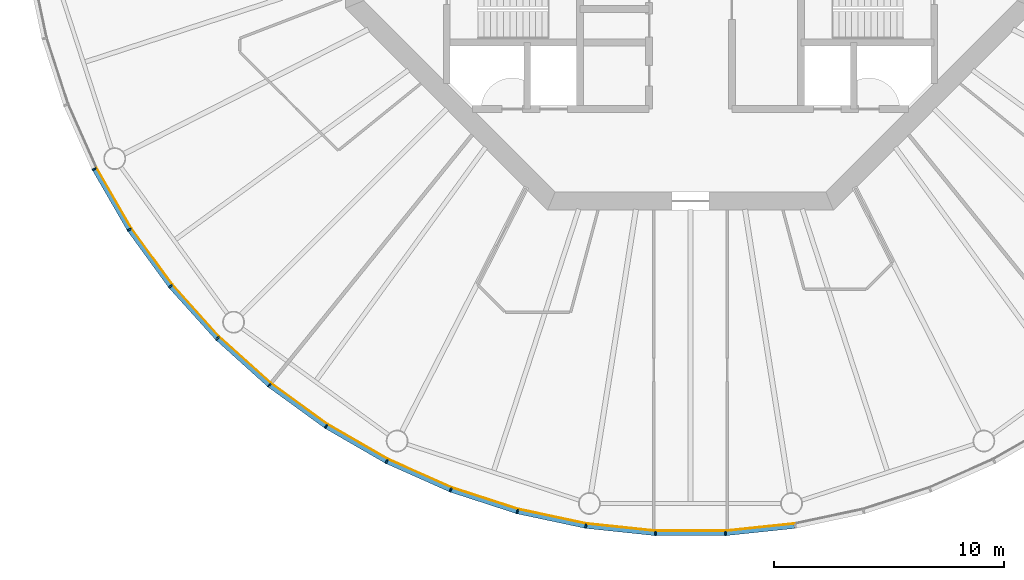
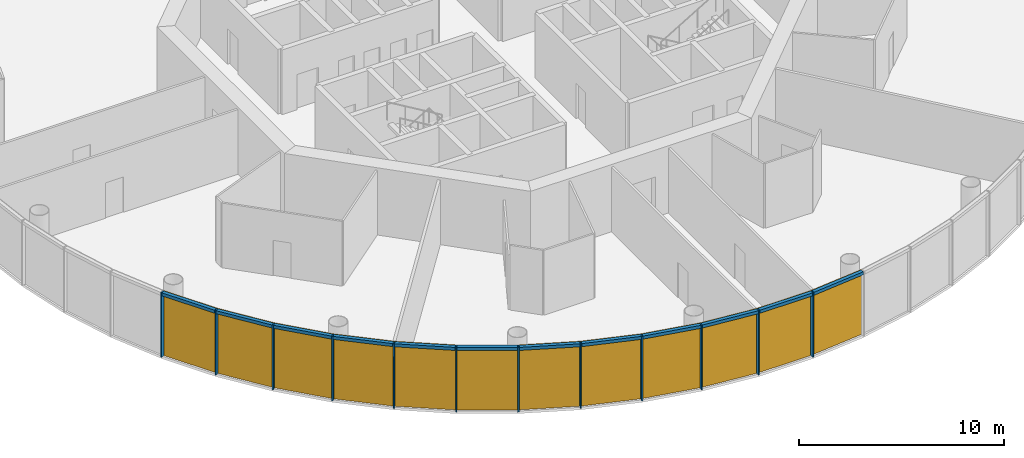
# One storey, part 7 of 13: 24 members, 4 curtain walls.
"""IFC4 building model written with IfcOpenShell, lengths in metres."""

from ifc_helpers import new_model, si_unit, direction, frame, origin, origin_2d, place, context, subcontext, project, spatial, polyline, rectangle, outline, extrude, material, layer, layer_set, material_profile, profile_set, type_object, element, aggregate, save


model = new_model("IFC4")

# Units and contexts
model_context = context("Model", 3, precision=1e-05, world=origin(), true_north=direction((0.0, 1.0)))
body_context = subcontext(model_context, "Body", "Model", "MODEL_VIEW")
ifc_project = project(units=[si_unit("LENGTHUNIT", "METRE"), si_unit("AREAUNIT", "SQUARE_METRE"), si_unit("VOLUMEUNIT", "CUBIC_METRE"), si_unit("PLANEANGLEUNIT", "RADIAN"), si_unit("MASSUNIT", "GRAM", prefix="KILO")], contexts=[model_context])

# Member
ifc_material_1 = material(Name="Anodised aluminium", Category="aluminium")
ifc_material_profile_1 = material_profile(ifc_material_1, rectangle(XDim=0.06494140625, YDim=0.195068359375, at=origin_2d()), Name="Mullion 65 x 195 mm anodised aluminium")
ifc_profile_set_1 = profile_set([ifc_material_profile_1], Name="Anodised aluminium")
member_type_1 = type_object("IfcMemberType", Name="Mullion 65 x 195 mm anodised aluminium", PredefinedType="MULLION", material=ifc_profile_set_1)
site_placement = place(None, origin())
building_placement = place(site_placement, origin())
storey_placement = place(building_placement, frame((0.0, 0.0, 286.0)))
member_1_placement = place(storey_placement, frame((64.073974609375, 66.7900390625, 0.0), z_axis=(0.0, 0.0, 1.0), x_axis=(0.45399049974, -0.891006524188, 0.0)))
member_1 = element("IfcMember", 1, at=member_1_placement, type_object=member_type_1, Name="MULLION L65-33", PredefinedType="MULLION", context=body_context, shape_type="SweptSolid", body=[
    extrude(rectangle(XDim=0.06494140625, YDim=0.195068359375, at=origin_2d()), origin(), (0.0, 0.0, 1.0), 3.85009765625),
])

member_2_placement = place(storey_placement, frame((65.5966796875, 64.15234375, 0.0), z_axis=(0.0, 0.0, 1.0), x_axis=(0.544639035015, -0.838670567945, 0.0)))
member_2 = element("IfcMember", 2, at=member_2_placement, type_object=member_type_1, Name="MULLION L65-34", PredefinedType="MULLION", context=body_context, shape_type="SweptSolid", body=[
    extrude(rectangle(XDim=0.06494140625, YDim=0.195068359375, at=origin_2d()), origin(), (0.0, 0.0, 1.0), 3.85009765625),
])

member_3_placement = place(storey_placement, frame((67.386962890625, 61.688232421875, 0.0), z_axis=(0.0, 0.0, 1.0), x_axis=(0.62932039105, -0.777145961457, 0.0)))
member_3 = element("IfcMember", 3, at=member_3_placement, type_object=member_type_1, Name="MULLION L65-35", PredefinedType="MULLION", context=body_context, shape_type="SweptSolid", body=[
    extrude(rectangle(XDim=0.06494140625, YDim=0.195068359375, at=origin_2d()), origin(), (0.0, 0.0, 1.0), 3.85009765625),
])

member_4_placement = place(storey_placement, frame((69.425048828125, 59.425048828125, 0.0), z_axis=(0.0, 0.0, 1.0), x_axis=(0.707106781187, -0.707106781187, 0.0)))
member_4 = element("IfcMember", 4, at=member_4_placement, type_object=member_type_1, Name="MULLION L65-36", PredefinedType="MULLION", context=body_context, shape_type="SweptSolid", body=[
    extrude(rectangle(XDim=0.06494140625, YDim=0.195068359375, at=origin_2d()), origin(), (0.0, 0.0, 1.0), 3.85009765625),
])

member_5_placement = place(storey_placement, frame((71.688232421875, 57.386962890625, 0.0), z_axis=(0.0, 0.0, 1.0), x_axis=(0.777145961457, -0.62932039105, 0.0)))
member_5 = element("IfcMember", 5, at=member_5_placement, type_object=member_type_1, Name="MULLION L65-37", PredefinedType="MULLION", context=body_context, shape_type="SweptSolid", body=[
    extrude(rectangle(XDim=0.06494140625, YDim=0.195068359375, at=origin_2d()), origin(), (0.0, 0.0, 1.0), 3.85009765625),
])

member_6_placement = place(storey_placement, frame((74.15234375, 55.5966796875, 0.0), z_axis=(0.0, 0.0, 1.0), x_axis=(0.838670567945, -0.544639035015, 0.0)))
member_6 = element("IfcMember", 6, at=member_6_placement, type_object=member_type_1, Name="MULLION L65-38", PredefinedType="MULLION", context=body_context, shape_type="SweptSolid", body=[
    extrude(rectangle(XDim=0.06494140625, YDim=0.195068359375, at=origin_2d()), origin(), (0.0, 0.0, 1.0), 3.85009765625),
])

member_7_placement = place(storey_placement, frame((76.7900390625, 54.073974609375, 0.0), z_axis=(0.0, 0.0, 1.0), x_axis=(0.891006524188, -0.45399049974, 0.0)))
member_7 = element("IfcMember", 7, at=member_7_placement, type_object=member_type_1, Name="MULLION L65-39", PredefinedType="MULLION", context=body_context, shape_type="SweptSolid", body=[
    extrude(rectangle(XDim=0.06494140625, YDim=0.195068359375, at=origin_2d()), origin(), (0.0, 0.0, 1.0), 3.85009765625),
])

member_8_placement = place(storey_placement, frame((79.572509765625, 52.835205078125, 0.0), z_axis=(0.0, 0.0, 1.0), x_axis=(0.933580426497, -0.358367949545, 0.0)))
member_8 = element("IfcMember", 8, at=member_8_placement, type_object=member_type_1, Name="MULLION L65-40", PredefinedType="MULLION", context=body_context, shape_type="SweptSolid", body=[
    extrude(rectangle(XDim=0.06494140625, YDim=0.195068359375, at=origin_2d()), origin(), (0.0, 0.0, 1.0), 3.85009765625),
])

member_9_placement = place(storey_placement, frame((82.468994140625, 51.89404296875, 0.0), z_axis=(0.0, 0.0, 1.0), x_axis=(0.965925826289, -0.258819045103, 0.0)))
member_9 = element("IfcMember", 9, at=member_9_placement, type_object=member_type_1, Name="MULLION L65-41", PredefinedType="MULLION", context=body_context, shape_type="SweptSolid", body=[
    extrude(rectangle(XDim=0.06494140625, YDim=0.195068359375, at=origin_2d()), origin(), (0.0, 0.0, 1.0), 3.85009765625),
])

member_10_placement = place(storey_placement, frame((85.4482421875, 51.2607421875, 0.0), z_axis=(0.0, 0.0, 1.0), x_axis=(0.987688340595, -0.15643446504, 0.0)))
member_10 = element("IfcMember", 10, at=member_10_placement, type_object=member_type_1, Name="MULLION L65-42", PredefinedType="MULLION", context=body_context, shape_type="SweptSolid", body=[
    extrude(rectangle(XDim=0.06494140625, YDim=0.195068359375, at=origin_2d()), origin(), (0.0, 0.0, 1.0), 3.85009765625),
])

member_11_placement = place(storey_placement, frame((88.47705078125, 50.9423828125, 0.0), z_axis=(0.0, 0.0, 1.0), x_axis=(0.998629534755, -0.052335956243, 0.0)))
member_11 = element("IfcMember", 11, at=member_11_placement, type_object=member_type_1, Name="MULLION L65-43", PredefinedType="MULLION", context=body_context, shape_type="SweptSolid", body=[
    extrude(rectangle(XDim=0.06494140625, YDim=0.195068359375, at=origin_2d()), origin(), (0.0, 0.0, 1.0), 3.85009765625),
])

member_12_placement = place(storey_placement, frame((91.52294921875, 50.9423828125, 0.0), z_axis=(0.0, 0.0, 1.0), x_axis=(0.998629534755, 0.052335956243, 0.0)))
member_12 = element("IfcMember", 12, at=member_12_placement, type_object=member_type_1, Name="MULLION L65-44", PredefinedType="MULLION", context=body_context, shape_type="SweptSolid", body=[
    extrude(rectangle(XDim=0.06494140625, YDim=0.195068359375, at=origin_2d()), origin(), (0.0, 0.0, 1.0), 3.85009765625),
])

ifc_material_2 = material(Name="Anodised aluminium", Category="aluminium")
ifc_material_profile_2 = material_profile(ifc_material_2, rectangle(XDim=0.195068359375, YDim=0.179931640625, at=origin_2d()), Name="Transom 180 x 195 mm anodised aluminium")
ifc_profile_set_2 = profile_set([ifc_material_profile_2], Name="Anodised aluminium")
member_type_2 = type_object("IfcMemberType", Name="Transom 180 x 195 mm anodised aluminium", PredefinedType="USERDEFINED", material=ifc_profile_set_2)
member_13_placement = place(storey_placement, frame((64.092529296875, 66.75732421875, 3.760009765625), z_axis=(0.500028367561, -0.866009025146, 0.0), x_axis=(0.866009025146, 0.500028367561, 0.0)))
member_13 = element("IfcMember", 13, at=member_13_placement, type_object=member_type_2, Name="TRANSOM L65-33", ObjectType="TRANSOM", PredefinedType="USERDEFINED", context=body_context, shape_type="SweptSolid", body=[
    extrude(rectangle(XDim=0.195068359375, YDim=0.179931640625, at=origin_2d()), origin(), (0.0, 0.0, 1.0), 2.970458984375),
])

member_14_placement = place(storey_placement, frame((65.618896484375, 64.121826171875, 3.760009765625), z_axis=(0.587765987476, -0.809030990733, 0.0), x_axis=(0.809030990733, 0.587765987476, 0.0)))
member_14 = element("IfcMember", 14, at=member_14_placement, type_object=member_type_2, Name="TRANSOM L65-34", ObjectType="TRANSOM", PredefinedType="USERDEFINED", context=body_context, shape_type="SweptSolid", body=[
    extrude(rectangle(XDim=0.195068359375, YDim=0.179931640625, at=origin_2d()), origin(), (0.0, 0.0, 1.0), 2.97021484375),
])

member_15_placement = place(storey_placement, frame((67.412109375, 61.660400390625, 3.760009765625), z_axis=(0.669110027395, -0.743163354343, 0.0), x_axis=(0.743163354343, 0.669110027395, 0.0)))
member_15 = element("IfcMember", 15, at=member_15_placement, type_object=member_type_2, Name="TRANSOM L65-35", ObjectType="TRANSOM", PredefinedType="USERDEFINED", context=body_context, shape_type="SweptSolid", body=[
    extrude(rectangle(XDim=0.195068359375, YDim=0.179931640625, at=origin_2d()), origin(), (0.0, 0.0, 1.0), 2.970458984375),
])

member_16_placement = place(storey_placement, frame((69.452880859375, 59.399658203125, 3.760009765625), z_axis=(0.743163354343, -0.669110027395, 0.0), x_axis=(0.669110027395, 0.743163354343, 0.0)))
member_16 = element("IfcMember", 16, at=member_16_placement, type_object=member_type_2, Name="TRANSOM L65-36", ObjectType="TRANSOM", PredefinedType="USERDEFINED", context=body_context, shape_type="SweptSolid", body=[
    extrude(rectangle(XDim=0.195068359375, YDim=0.179931640625, at=origin_2d()), origin(), (0.0, 0.0, 1.0), 2.970458984375),
])

member_17_placement = place(storey_placement, frame((71.71875, 57.36474609375, 3.760009765625), z_axis=(0.809030990733, -0.587765987476, 0.0), x_axis=(0.587765987476, 0.809030990733, 0.0)))
member_17 = element("IfcMember", 17, at=member_17_placement, type_object=member_type_2, Name="TRANSOM L65-37", ObjectType="TRANSOM", PredefinedType="USERDEFINED", context=body_context, shape_type="SweptSolid", body=[
    extrude(rectangle(XDim=0.195068359375, YDim=0.179931640625, at=origin_2d()), origin(), (0.0, 0.0, 1.0), 2.97021484375),
])

member_18_placement = place(storey_placement, frame((74.184814453125, 55.577880859375, 3.760009765625), z_axis=(0.866009025146, -0.500028367561, 0.0), x_axis=(0.500028367561, 0.866009025146, 0.0)))
member_18 = element("IfcMember", 18, at=member_18_placement, type_object=member_type_2, Name="TRANSOM L65-38", ObjectType="TRANSOM", PredefinedType="USERDEFINED", context=body_context, shape_type="SweptSolid", body=[
    extrude(rectangle(XDim=0.195068359375, YDim=0.179931640625, at=origin_2d()), origin(), (0.0, 0.0, 1.0), 2.970458984375),
])

member_19_placement = place(storey_placement, frame((76.82421875, 54.05859375, 3.760009765625), z_axis=(0.913550406593, -0.406725527369, 0.0), x_axis=(0.406725527369, 0.913550406593, 0.0)))
member_19 = element("IfcMember", 19, at=member_19_placement, type_object=member_type_2, Name="TRANSOM L65-39", ObjectType="TRANSOM", PredefinedType="USERDEFINED", context=body_context, shape_type="SweptSolid", body=[
    extrude(rectangle(XDim=0.195068359375, YDim=0.179931640625, at=origin_2d()), origin(), (0.0, 0.0, 1.0), 2.970703125),
])

member_20_placement = place(storey_placement, frame((79.608154296875, 52.823486328125, 3.760009765625), z_axis=(0.951047960094, -0.309043326415, 0.0), x_axis=(0.309043326415, 0.951047960094, 0.0)))
member_20 = element("IfcMember", 20, at=member_20_placement, type_object=member_type_2, Name="TRANSOM L65-40", ObjectType="TRANSOM", PredefinedType="USERDEFINED", context=body_context, shape_type="SweptSolid", body=[
    extrude(rectangle(XDim=0.195068359375, YDim=0.179931640625, at=origin_2d()), origin(), (0.0, 0.0, 1.0), 2.970458984375),
])

member_21_placement = place(storey_placement, frame((82.505859375, 51.885986328125, 3.760009765625), z_axis=(0.978141510112, -0.207940342877, 0.0), x_axis=(0.207940342877, 0.978141510112, 0.0)))
member_21 = element("IfcMember", 21, at=member_21_placement, type_object=member_type_2, Name="TRANSOM L65-41", ObjectType="TRANSOM", PredefinedType="USERDEFINED", context=body_context, shape_type="SweptSolid", body=[
    extrude(rectangle(XDim=0.195068359375, YDim=0.179931640625, at=origin_2d()), origin(), (0.0, 0.0, 1.0), 2.970458984375),
])

member_22_placement = place(storey_placement, frame((85.485595703125, 51.256591796875, 3.760009765625), z_axis=(0.994528397827, -0.104466577987, 0.0), x_axis=(0.104466577987, 0.994528397827, 0.0)))
member_22 = element("IfcMember", 22, at=member_22_placement, type_object=member_type_2, Name="TRANSOM L65-42", ObjectType="TRANSOM", PredefinedType="USERDEFINED", context=body_context, shape_type="SweptSolid", body=[
    extrude(rectangle(XDim=0.195068359375, YDim=0.179931640625, at=origin_2d()), origin(), (0.0, 0.0, 1.0), 2.970458984375),
])

member_23_placement = place(storey_placement, frame((88.5146484375, 50.942138671875, 3.760009765625), z_axis=(1.0, 0.0, 0.0), x_axis=(0.0, 1.0, 0.0)))
member_23 = element("IfcMember", 23, at=member_23_placement, type_object=member_type_2, Name="TRANSOM L65-43", ObjectType="TRANSOM", PredefinedType="USERDEFINED", context=body_context, shape_type="SweptSolid", body=[
    extrude(rectangle(XDim=0.195068359375, YDim=0.179931640625, at=origin_2d()), origin(), (0.0, 0.0, 1.0), 2.970703125),
])

member_24_placement = place(storey_placement, frame((91.560302734375, 50.9462890625, 3.760009765625), z_axis=(0.994528397827, 0.104466577987, 0.0), x_axis=(-0.104466577987, 0.994528397827, 0.0)))
member_24 = element("IfcMember", 24, at=member_24_placement, type_object=member_type_2, Name="TRANSOM L65-44", ObjectType="TRANSOM", PredefinedType="USERDEFINED", context=body_context, shape_type="SweptSolid", body=[
    extrude(rectangle(XDim=0.195068359375, YDim=0.179931640625, at=origin_2d()), origin(), (0.0, 0.0, 1.0), 2.970458984375),
])

# Site, building, storey
site = spatial("IfcSite", under=ifc_project, at=site_placement, CompositionType="ELEMENT")
building = spatial("IfcBuilding", under=site, at=building_placement, Name="Entoto Ring Tower", CompositionType="ELEMENT")
storey = spatial("IfcBuildingStorey", under=building, at=storey_placement, Name="L65", CompositionType="ELEMENT", Elevation=286.0)

# Curtain wall
ifc_material_3 = material(Name="Clear low-iron glass", Category="glass")
ifc_layer = layer(ifc_material_3, 0.033935546875)
ifc_layer_set = layer_set([ifc_layer], Name="Clear low-iron glass")
curtain_wall_type = type_object("IfcCurtainWallType", Name="Curtain wall system CW5 glazing 34 mm", PredefinedType="NOTDEFINED", material=ifc_layer_set)
curtain_wall_1_placement = place(storey_placement, origin())
curtain_wall_1 = element("IfcCurtainWall", 25, at=curtain_wall_1_placement, inside=storey, type_object=curtain_wall_type, Name="CW5 L65-12", PredefinedType="NOTDEFINED", context=body_context, shape_type="SweptSolid", body=[
    extrude(outline(polyline([(64.160888671875, 66.834228515625), (65.678466796875, 64.20556640625), (67.462646484375, 61.749755859375), (69.493896484375, 59.493896484375), (69.51806640625, 59.51806640625), (67.4892578125, 61.771240234375), (65.70703125, 64.22412109375), (64.191162109375, 66.849853515625), (64.160888671875, 66.834228515625)])), origin(), (0.0, 0.0, 1.0), 3.85009765625),
])

aggregate(curtain_wall_1, [member_1, member_2, member_3, member_13, member_14, member_15])

curtain_wall_2_placement = place(storey_placement, origin())
curtain_wall_2 = element("IfcCurtainWall", 26, at=curtain_wall_2_placement, inside=storey, type_object=curtain_wall_type, Name="CW5 L65-13", PredefinedType="NOTDEFINED", context=body_context, shape_type="SweptSolid", body=[
    extrude(outline(polyline([(69.493896484375, 59.493896484375), (71.749755859375, 57.462646484375), (74.20556640625, 55.678466796875), (76.834228515625, 54.160888671875), (76.849853515625, 54.191162109375), (74.22412109375, 55.70703125), (71.771240234375, 57.4892578125), (69.51806640625, 59.51806640625), (69.493896484375, 59.493896484375)])), origin(), (0.0, 0.0, 1.0), 3.85009765625),
])

aggregate(curtain_wall_2, [member_4, member_5, member_6, member_16, member_17, member_18])

curtain_wall_3_placement = place(storey_placement, origin())
curtain_wall_3 = element("IfcCurtainWall", 27, at=curtain_wall_3_placement, inside=storey, type_object=curtain_wall_type, Name="CW5 L65-14", PredefinedType="NOTDEFINED", context=body_context, shape_type="SweptSolid", body=[
    extrude(outline(polyline([(76.834228515625, 54.160888671875), (79.607421875, 52.92626953125), (82.494140625, 51.988037109375), (85.46337890625, 51.35693359375), (85.46875, 51.390625), (82.503173828125, 52.02099609375), (79.61962890625, 52.9580078125), (76.849853515625, 54.191162109375), (76.834228515625, 54.160888671875)])), origin(), (0.0, 0.0, 1.0), 3.85009765625),
])

aggregate(curtain_wall_3, [member_7, member_8, member_9, member_19, member_20, member_21])

curtain_wall_4_placement = place(storey_placement, origin())
curtain_wall_4 = element("IfcCurtainWall", 28, at=curtain_wall_4_placement, inside=storey, type_object=curtain_wall_type, Name="CW5 L65-15", PredefinedType="NOTDEFINED", context=body_context, shape_type="SweptSolid", body=[
    extrude(outline(polyline([(85.46337890625, 51.35693359375), (88.482177734375, 51.039794921875), (91.517822265625, 51.039794921875), (94.53662109375, 51.35693359375), (94.53125, 51.390625), (91.515869140625, 51.07373046875), (88.484130859375, 51.07373046875), (85.46875, 51.390625), (85.46337890625, 51.35693359375)])), origin(), (0.0, 0.0, 1.0), 3.85009765625),
])

aggregate(curtain_wall_4, [member_10, member_11, member_12, member_22, member_23, member_24])

save(model, "model.ifc")
